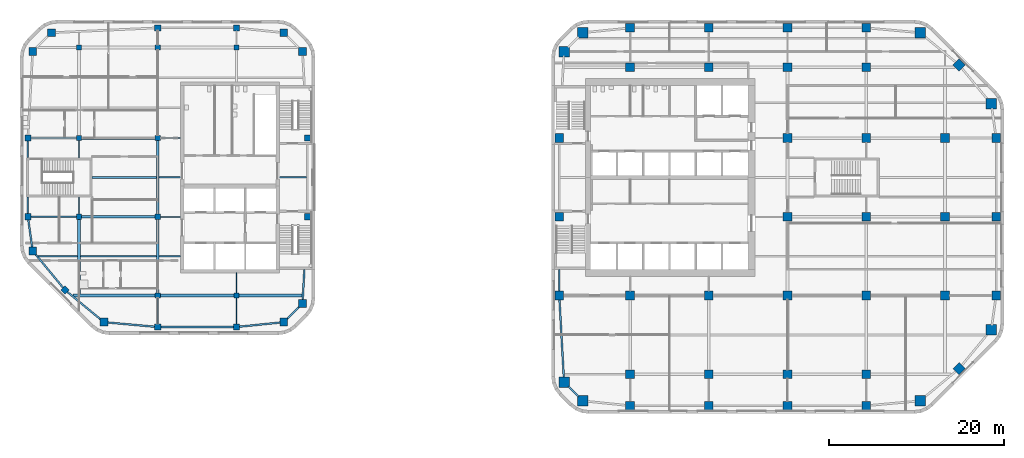
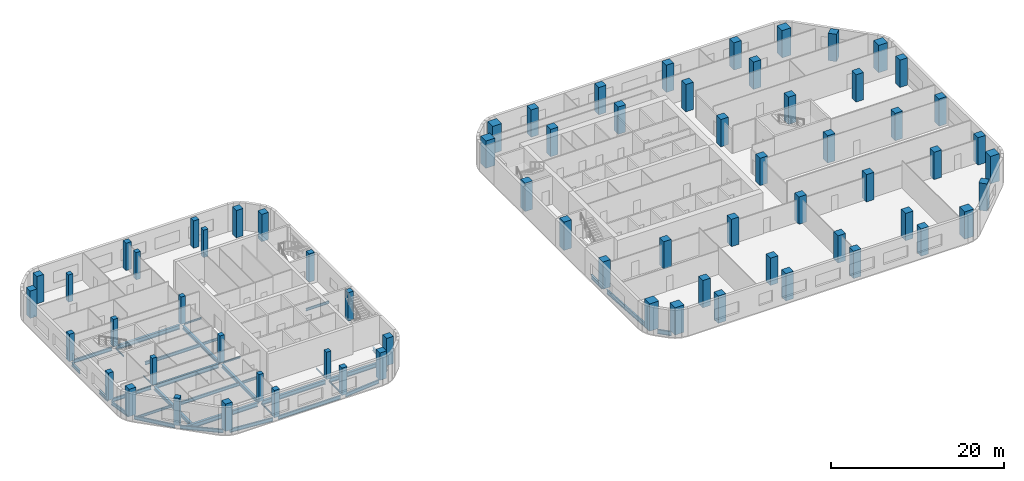
# One storey, part 1 of 14: 69 columns, 36 beams.
"""IFC4 building model written with IfcOpenShell, lengths in metres."""

from ifc_helpers import new_model, si_unit, direction, frame, origin, origin_2d, place, context, subcontext, project, spatial, rectangle, i_section, extrude, material, material_profile, profile_set, type_object, element, save


model = new_model("IFC4")

# Units and contexts
model_context = context("Model", 3, precision=1e-05, world=origin(), true_north=direction((0.0, 1.0)))
body_context = subcontext(model_context, "Body", "Model", "MODEL_VIEW")
ifc_project = project(units=[si_unit("LENGTHUNIT", "METRE"), si_unit("AREAUNIT", "SQUARE_METRE"), si_unit("VOLUMEUNIT", "CUBIC_METRE"), si_unit("PLANEANGLEUNIT", "RADIAN"), si_unit("MASSUNIT", "GRAM", prefix="KILO")], contexts=[model_context])

# Site, building, storey
site_placement = place(None, origin())
site = spatial("IfcSite", under=ifc_project, at=site_placement, CompositionType="ELEMENT")
building_placement = place(site_placement, origin())
building = spatial("IfcBuilding", under=site, at=building_placement, Name="Cinnabar Reach Civic Tower", CompositionType="ELEMENT")
storey_placement = place(building_placement, frame((0.0, 0.0, 112.0)))
storey = spatial("IfcBuildingStorey", under=building, at=storey_placement, Name="L26", CompositionType="ELEMENT", Elevation=112.0)

# Columns
ifc_material_1 = material(Name="Concrete C70", Category="concrete")
ifc_material_profile_1 = material_profile(ifc_material_1, rectangle(XDim=1.0, YDim=1.0, at=origin_2d()), Name="RC1000")
ifc_profile_set_1 = profile_set([ifc_material_profile_1], Name="Concrete C70")
column_type_1 = type_object("IfcColumnType", Name="RC1000 column R 240", PredefinedType="COLUMN", material=ifc_profile_set_1)
for number, where, z_axis, x_axis, name in (
    (1, (9.0, 5.4, 0.0), (0.0, 0.0, 1.0), (1.0, 0.0, 0.0), "Column T1-Z2-F0-1"),
    (2, (18.0, 5.4, 0.0), (0.0, 0.0, 1.0), (1.0, 0.0, 0.0), "Column T1-Z2-F0-2"),
    (3, (27.0, 5.4, 0.0), (0.0, 0.0, 1.0), (1.0, 0.0, 0.0), "Column T1-Z2-F0-3"),
    (4, (36.0, 5.4, 0.0), (0.0, 0.0, 1.0), (1.0, 0.0, 0.0), "Column T1-Z2-F0-4"),
    (5, (46.6136, 9.6364, 0.0), (0.0, 0.0, 1.0), (0.707106781187, 0.707106781187, 0.0), "Column T1-Z2-F1-M"),
    (6, (50.85, 18.0, 0.0), (0.0, 0.0, 1.0), (1.0, 0.0, 0.0), "Column T1-Z2-F2-2"),
    (7, (50.85, 27.0, 0.0), (0.0, 0.0, 1.0), (1.0, 0.0, 0.0), "Column T1-Z2-F2-3"),
    (8, (50.85, 36.0, 0.0), (0.0, 0.0, 1.0), (1.0, 0.0, 0.0), "Column T1-Z2-F2-4"),
    (9, (46.6136, 44.3636, 0.0), (0.0, 0.0, 1.0), (0.707106781187, 0.707106781187, 0.0), "Column T1-Z2-F3-M"),
    (10, (9.0, 48.6, 0.0), (0.0, 0.0, 1.0), (1.0, 0.0, 0.0), "Column T1-Z2-F4-1"),
    (11, (18.0, 48.6, 0.0), (0.0, 0.0, 1.0), (1.0, 0.0, 0.0), "Column T1-Z2-F4-2"),
    (12, (27.0, 48.6, 0.0), (0.0, 0.0, 1.0), (1.0, 0.0, 0.0), "Column T1-Z2-F4-3"),
    (13, (36.0, 48.6, 0.0), (0.0, 0.0, 1.0), (1.0, 0.0, 0.0), "Column T1-Z2-F4-4"),
    (14, (0.9, 18.0, 0.0), (0.0, 0.0, 1.0), (1.0, 0.0, 0.0), "Column T1-Z2-F6-2"),
):
    element("IfcColumn", number, at=place(storey_placement, frame(where, z_axis=z_axis, x_axis=x_axis)), inside=storey, type_object=column_type_1, Name=name, PredefinedType="COLUMN", context=body_context, shape_type="SweptSolid", body=[
        extrude(rectangle(XDim=1.0, YDim=1.0, at=origin_2d()), origin(), (0.0, 0.0, 1.0), 3.85),
    ])
for number, where, z_axis, x_axis, name in (
    (15, (0.9, 27.0, 0.0), (0.0, 0.0, 1.0), (1.0, 0.0, 0.0), "Column T1-Z2-F6-3"),
    (16, (0.9, 36.0, 0.0), (0.0, 0.0, 1.0), (1.0, 0.0, 0.0), "Column T1-Z2-F6-4"),
):
    element("IfcColumn", number, at=place(storey_placement, frame(where, z_axis=z_axis, x_axis=x_axis)), inside=storey, type_object=column_type_1, Name=name, PredefinedType="COLUMN", context=body_context, shape_type="SweptSolid", body=[
        extrude(rectangle(XDim=1.0, YDim=1.0, at=origin_2d()), origin(), (0.0, 0.0, 1.0), 4.0),
    ])
for number, where, z_axis, x_axis, name in (
    (17, (9.0, 9.0, 0.0), (0.0, 0.0, 1.0), (1.0, 0.0, 0.0), "Column T1-Z2-I9_9"),
    (18, (9.0, 18.0, 0.0), (0.0, 0.0, 1.0), (1.0, 0.0, 0.0), "Column T1-Z2-I9_18"),
    (19, (9.0, 44.1, 0.0), (0.0, 0.0, 1.0), (1.0, 0.0, 0.0), "Column T1-Z2-I9_45"),
    (20, (18.0, 9.0, 0.0), (0.0, 0.0, 1.0), (1.0, 0.0, 0.0), "Column T1-Z2-I18_9"),
    (21, (18.0, 18.0, 0.0), (0.0, 0.0, 1.0), (1.0, 0.0, 0.0), "Column T1-Z2-I18_18"),
    (22, (18.0, 44.1, 0.0), (0.0, 0.0, 1.0), (1.0, 0.0, 0.0), "Column T1-Z2-I18_45"),
    (23, (27.0, 9.0, 0.0), (0.0, 0.0, 1.0), (1.0, 0.0, 0.0), "Column T1-Z2-I27_9"),
    (24, (27.0, 18.0, 0.0), (0.0, 0.0, 1.0), (1.0, 0.0, 0.0), "Column T1-Z2-I27_18"),
    (25, (27.0, 27.0, 0.0), (0.0, 0.0, 1.0), (1.0, 0.0, 0.0), "Column T1-Z2-I27_27"),
    (26, (27.0, 36.0, 0.0), (0.0, 0.0, 1.0), (1.0, 0.0, 0.0), "Column T1-Z2-I27_36"),
    (27, (27.0, 44.1, 0.0), (0.0, 0.0, 1.0), (1.0, 0.0, 0.0), "Column T1-Z2-I27_45"),
    (28, (36.0, 9.0, 0.0), (0.0, 0.0, 1.0), (1.0, 0.0, 0.0), "Column T1-Z2-I36_9"),
    (29, (36.0, 18.0, 0.0), (0.0, 0.0, 1.0), (1.0, 0.0, 0.0), "Column T1-Z2-I36_18"),
    (30, (36.0, 27.0, 0.0), (0.0, 0.0, 1.0), (1.0, 0.0, 0.0), "Column T1-Z2-I36_27"),
    (31, (36.0, 36.0, 0.0), (0.0, 0.0, 1.0), (1.0, 0.0, 0.0), "Column T1-Z2-I36_36"),
    (32, (36.0, 44.1, 0.0), (0.0, 0.0, 1.0), (1.0, 0.0, 0.0), "Column T1-Z2-I36_45"),
    (33, (45.0, 18.0, 0.0), (0.0, 0.0, 1.0), (1.0, 0.0, 0.0), "Column T1-Z2-I45_18"),
    (34, (45.0, 27.0, 0.0), (0.0, 0.0, 1.0), (1.0, 0.0, 0.0), "Column T1-Z2-I45_27"),
    (35, (45.0, 36.0, 0.0), (0.0, 0.0, 1.0), (1.0, 0.0, 0.0), "Column T1-Z2-I45_36"),
):
    element("IfcColumn", number, at=place(storey_placement, frame(where, z_axis=z_axis, x_axis=x_axis)), inside=storey, type_object=column_type_1, Name=name, PredefinedType="COLUMN", context=body_context, shape_type="SweptSolid", body=[
        extrude(rectangle(XDim=1.0, YDim=1.0, at=origin_2d()), origin(), (0.0, 0.0, 1.0), 3.85),
    ])
ifc_material_2 = material(Name="Concrete C80", Category="concrete")
ifc_material_profile_2 = material_profile(ifc_material_2, rectangle(XDim=1.2, YDim=1.2, at=origin_2d()), Name="RC1200")
ifc_profile_set_2 = profile_set([ifc_material_profile_2], Name="Concrete C80")
column_type_2 = type_object("IfcColumnType", Name="RC1200 column R 240", PredefinedType="COLUMN", material=ifc_profile_set_2)
for number, where, z_axis, x_axis, name in (
    (36, (3.6019, 5.9531, 0.0), (0.0, 0.0, 1.0), (1.0, 0.0, 0.0), "Column T1-Z2-CC0"),
    (37, (42.1481, 5.9531, 0.0), (0.0, 0.0, 1.0), (1.0, 0.0, 0.0), "Column T1-Z2-CC1"),
    (38, (50.2969, 14.1019, 0.0), (0.0, 0.0, 1.0), (1.0, 0.0, 0.0), "Column T1-Z2-CC2"),
    (39, (50.2969, 39.8981, 0.0), (0.0, 0.0, 1.0), (1.0, 0.0, 0.0), "Column T1-Z2-CC3"),
    (40, (42.1481, 48.0469, 0.0), (0.0, 0.0, 1.0), (1.0, 0.0, 0.0), "Column T1-Z2-CC4"),
    (41, (3.6019, 48.0469, 0.0), (0.0, 0.0, 1.0), (1.0, 0.0, 0.0), "Column T1-Z2-CC5"),
    (42, (1.4531, 45.8981, 0.0), (0.0, 0.0, 1.0), (1.0, 0.0, 0.0), "Column T1-Z2-CC6"),
    (43, (1.4531, 8.1019, 0.0), (0.0, 0.0, 1.0), (1.0, 0.0, 0.0), "Column T1-Z2-CC7"),
):
    element("IfcColumn", number, at=place(storey_placement, frame(where, z_axis=z_axis, x_axis=x_axis)), inside=storey, type_object=column_type_2, Name=name, PredefinedType="COLUMN", context=body_context, shape_type="SweptSolid", body=[
        extrude(rectangle(XDim=1.2, YDim=1.2, at=origin_2d()), origin(), (0.0, 0.0, 1.0), 3.85),
    ])
ifc_material_3 = material(Name="Concrete C60", Category="concrete")
ifc_material_profile_3 = material_profile(ifc_material_3, rectangle(XDim=0.6, YDim=0.6, at=origin_2d()), Name="RC600")
ifc_profile_set_3 = profile_set([ifc_material_profile_3], Name="Concrete C60")
column_type_3 = type_object("IfcColumnType", Name="RC600 column R 180", PredefinedType="COLUMN", material=ifc_profile_set_3)
for number, where, z_axis, x_axis, name in (
    (44, (-54.0, 27.0, 0.0), (0.0, 0.0, 1.0), (1.0, 0.0, 0.0), "Column T2-Z3-I-54_27"),
    (45, (-54.0, 36.0, 0.0), (0.0, 0.0, 1.0), (1.0, 0.0, 0.0), "Column T2-Z3-I-54_36"),
    (46, (-54.0, 46.35, 0.0), (0.0, 0.0, 1.0), (1.0, 0.0, 0.0), "Column T2-Z3-I-54_45"),
    (47, (-45.0, 18.0, 0.0), (0.0, 0.0, 1.0), (1.0, 0.0, 0.0), "Column T2-Z3-I-45_18"),
    (48, (-45.0, 27.0, 0.0), (0.0, 0.0, 1.0), (1.0, 0.0, 0.0), "Column T2-Z3-I-45_27"),
    (49, (-45.0, 36.0, 0.0), (0.0, 0.0, 1.0), (1.0, 0.0, 0.0), "Column T2-Z3-I-45_36"),
    (50, (-45.0, 46.35, 0.0), (0.0, 0.0, 1.0), (1.0, 0.0, 0.0), "Column T2-Z3-I-45_45"),
    (51, (-36.0, 18.0, 0.0), (0.0, 0.0, 1.0), (1.0, 0.0, 0.0), "Column T2-Z3-I-36_18"),
    (52, (-36.0, 46.35, 0.0), (0.0, 0.0, 1.0), (1.0, 0.0, 0.0), "Column T2-Z3-I-36_45"),
):
    element("IfcColumn", number, at=place(storey_placement, frame(where, z_axis=z_axis, x_axis=x_axis)), inside=storey, type_object=column_type_3, Name=name, PredefinedType="COLUMN", context=body_context, shape_type="SweptSolid", body=[
        extrude(rectangle(XDim=0.6, YDim=0.6, at=origin_2d()), origin(), (0.0, 0.0, 1.0), 3.85),
    ])
ifc_material_profile_4 = material_profile(ifc_material_3, rectangle(XDim=0.7, YDim=0.7, at=origin_2d()), Name="RC700")
ifc_profile_set_4 = profile_set([ifc_material_profile_4], Name="Concrete C60")
column_type_4 = type_object("IfcColumnType", Name="RC700 column R 180", PredefinedType="COLUMN", material=ifc_profile_set_4)
for number, where, z_axis, x_axis, name in (
    (53, (-45.0, 14.4, 0.0), (0.0, 0.0, 1.0), (1.0, 0.0, 0.0), "Column T2-Z3-F0--5"),
    (54, (-36.0, 14.4, 0.0), (0.0, 0.0, 1.0), (1.0, 0.0, 0.0), "Column T2-Z3-F0--4"),
):
    element("IfcColumn", number, at=place(storey_placement, frame(where, z_axis=z_axis, x_axis=x_axis)), inside=storey, type_object=column_type_4, Name=name, PredefinedType="COLUMN", context=body_context, shape_type="SweptSolid", body=[
        extrude(rectangle(XDim=0.7, YDim=0.7, at=origin_2d()), origin(), (0.0, 0.0, 1.0), 3.85),
    ])
for number, where, z_axis, x_axis, name in (
    (55, (-27.9, 27.0, 0.0), (0.0, 0.0, 1.0), (1.0, 0.0, 0.0), "Column T2-Z3-F2-3"),
    (56, (-27.9, 36.0, 0.0), (0.0, 0.0, 1.0), (1.0, 0.0, 0.0), "Column T2-Z3-F2-4"),
):
    element("IfcColumn", number, at=place(storey_placement, frame(where, z_axis=z_axis, x_axis=x_axis)), inside=storey, type_object=column_type_4, Name=name, PredefinedType="COLUMN", context=body_context, shape_type="SweptSolid", body=[
        extrude(rectangle(XDim=0.7, YDim=0.7, at=origin_2d()), origin(), (0.0, 0.0, 1.0), 4.0),
    ])
for number, where, z_axis, x_axis, name in (
    (57, (-45.0, 48.6, 0.0), (0.0, 0.0, 1.0), (1.0, 0.0, 0.0), "Column T2-Z3-F4--5"),
    (58, (-36.0, 48.6, 0.0), (0.0, 0.0, 1.0), (1.0, 0.0, 0.0), "Column T2-Z3-F4--4"),
    (59, (-59.85, 27.0, 0.0), (0.0, 0.0, 1.0), (1.0, 0.0, 0.0), "Column T2-Z3-F6-3"),
    (60, (-59.85, 36.0, 0.0), (0.0, 0.0, 1.0), (1.0, 0.0, 0.0), "Column T2-Z3-F6-4"),
    (61, (-55.6136, 18.6364, 0.0), (0.0, 0.0, 1.0), (0.707106781187, 0.707106781187, 0.0), "Column T2-Z3-F7-M"),
):
    element("IfcColumn", number, at=place(storey_placement, frame(where, z_axis=z_axis, x_axis=x_axis)), inside=storey, type_object=column_type_4, Name=name, PredefinedType="COLUMN", context=body_context, shape_type="SweptSolid", body=[
        extrude(rectangle(XDim=0.7, YDim=0.7, at=origin_2d()), origin(), (0.0, 0.0, 1.0), 3.85),
    ])
ifc_material_profile_5 = material_profile(ifc_material_1, rectangle(XDim=0.9, YDim=0.9, at=origin_2d()), Name="RC900")
ifc_profile_set_5 = profile_set([ifc_material_profile_5], Name="Concrete C70")
column_type_5 = type_object("IfcColumnType", Name="RC900 column R 180", PredefinedType="COLUMN", material=ifc_profile_set_5)
for number, where, z_axis, x_axis, name in (
    (62, (-51.1481, 14.9531, 0.0), (0.0, 0.0, 1.0), (1.0, 0.0, 0.0), "Column T2-Z3-CC0"),
    (63, (-30.6019, 14.9531, 0.0), (0.0, 0.0, 1.0), (1.0, 0.0, 0.0), "Column T2-Z3-CC1"),
    (64, (-28.4531, 17.1019, 0.0), (0.0, 0.0, 1.0), (1.0, 0.0, 0.0), "Column T2-Z3-CC2"),
    (65, (-28.4531, 45.8981, 0.0), (0.0, 0.0, 1.0), (1.0, 0.0, 0.0), "Column T2-Z3-CC3"),
    (66, (-30.6019, 48.0469, 0.0), (0.0, 0.0, 1.0), (1.0, 0.0, 0.0), "Column T2-Z3-CC4"),
    (67, (-57.1481, 48.0469, 0.0), (0.0, 0.0, 1.0), (1.0, 0.0, 0.0), "Column T2-Z3-CC5"),
    (68, (-59.2969, 45.8981, 0.0), (0.0, 0.0, 1.0), (1.0, 0.0, 0.0), "Column T2-Z3-CC6"),
    (69, (-59.2969, 23.1019, 0.0), (0.0, 0.0, 1.0), (1.0, 0.0, 0.0), "Column T2-Z3-CC7"),
):
    element("IfcColumn", number, at=place(storey_placement, frame(where, z_axis=z_axis, x_axis=x_axis)), inside=storey, type_object=column_type_5, Name=name, PredefinedType="COLUMN", context=body_context, shape_type="SweptSolid", body=[
        extrude(rectangle(XDim=0.9, YDim=0.9, at=origin_2d()), origin(), (0.0, 0.0, 1.0), 3.85),
    ])

# Beams
ifc_material_4 = material(Name="Steel Q355B", Category="steel")
ifc_material_profile_6 = material_profile(ifc_material_4, i_section(OverallWidth=0.3, OverallDepth=0.488, WebThickness=0.011, FlangeThickness=0.018, FilletRadius=0.016, at=origin_2d()), Name="HM488x300x11x18")
ifc_profile_set_6 = profile_set([ifc_material_profile_6], Name="Steel Q355B")
beam_type_1 = type_object("IfcBeamType", Name="HM488x300x11x18 beam R 120", PredefinedType="BEAM", material=ifc_profile_set_6)
beam_1_placement = place(storey_placement, frame((-54.0, 18.152, -0.394), z_axis=(0.0, 1.0, 0.0), x_axis=(-1.0, 0.0, 0.0)))
element("IfcBeam", 70, at=beam_1_placement, inside=storey, type_object=beam_type_1, Name="Girder T2 L26 1", PredefinedType="BEAM", context=body_context, shape_type="SweptSolid", body=[
    extrude(i_section(OverallWidth=0.3, OverallDepth=0.488, WebThickness=0.011, FlangeThickness=0.018, FilletRadius=0.016, at=origin_2d()), origin(), (0.0, 0.0, 1.0), 8.546),
])
for number, where, z_axis, x_axis, name in (
    (71, (-45.0, 18.302, -0.394), (0.0, 1.0, 0.0), (-1.0, 0.0, 0.0), "Girder T2 L26 7"),
    (72, (-45.0, 27.302, -0.394), (0.0, 1.0, 0.0), (-1.0, 0.0, 0.0), "Girder T2 L26 8"),
):
    element("IfcBeam", number, at=place(storey_placement, frame(where, z_axis=z_axis, x_axis=x_axis)), inside=storey, type_object=beam_type_1, Name=name, PredefinedType="BEAM", context=body_context, shape_type="SweptSolid", body=[
        extrude(i_section(OverallWidth=0.3, OverallDepth=0.488, WebThickness=0.011, FlangeThickness=0.018, FilletRadius=0.016, at=origin_2d()), origin(), (0.0, 0.0, 1.0), 8.396),
    ])
ifc_material_profile_7 = material_profile(ifc_material_4, i_section(OverallWidth=0.3, OverallDepth=0.588, WebThickness=0.012, FlangeThickness=0.02, FilletRadius=0.016, at=origin_2d()), Name="HM588x300x12x20")
ifc_profile_set_7 = profile_set([ifc_material_profile_7], Name="Steel Q355B")
beam_type_2 = type_object("IfcBeamType", Name="HM588x300x12x20 beam R 120", PredefinedType="BEAM", material=ifc_profile_set_7)
beam_2_placement = place(storey_placement, frame((-54.6818, 18.0, -0.444), z_axis=(1.0, 0.0, 0.0), x_axis=(0.0, 1.0, 0.0)))
element("IfcBeam", 73, at=beam_2_placement, inside=storey, type_object=beam_type_2, Name="Girder T2 L26 1", PredefinedType="BEAM", context=body_context, shape_type="SweptSolid", body=[
    extrude(i_section(OverallWidth=0.3, OverallDepth=0.588, WebThickness=0.012, FlangeThickness=0.02, FilletRadius=0.016, at=origin_2d()), origin(), (0.0, 0.0, 1.0), 9.3798),
])
beam_3_placement = place(storey_placement, frame((-44.698, 18.0, -0.444), z_axis=(1.0, 0.0, 0.0), x_axis=(0.0, 1.0, 0.0)))
element("IfcBeam", 74, at=beam_3_placement, inside=storey, type_object=beam_type_2, Name="Girder T2 L26 2", PredefinedType="BEAM", context=body_context, shape_type="SweptSolid", body=[
    extrude(i_section(OverallWidth=0.3, OverallDepth=0.588, WebThickness=0.012, FlangeThickness=0.02, FilletRadius=0.016, at=origin_2d()), origin(), (0.0, 0.0, 1.0), 8.396),
])
beam_4_placement = place(storey_placement, frame((-35.698, 18.0, -0.444), z_axis=(1.0, 0.0, 0.0), x_axis=(0.0, 1.0, 0.0)))
element("IfcBeam", 75, at=beam_4_placement, inside=storey, type_object=beam_type_2, Name="Girder T2 L26 3", PredefinedType="BEAM", context=body_context, shape_type="SweptSolid", body=[
    extrude(i_section(OverallWidth=0.3, OverallDepth=0.588, WebThickness=0.012, FlangeThickness=0.02, FilletRadius=0.016, at=origin_2d()), origin(), (0.0, 0.0, 1.0), 7.1929),
])
for number, where, z_axis, x_axis, name in (
    (76, (-53.698, 27.0, -0.444), (1.0, 0.0, 0.0), (0.0, 1.0, 0.0), "Girder T2 L26 5"),
    (77, (-53.698, 36.0, -0.444), (1.0, 0.0, 0.0), (0.0, 1.0, 0.0), "Girder T2 L26 8"),
):
    element("IfcBeam", number, at=place(storey_placement, frame(where, z_axis=z_axis, x_axis=x_axis)), inside=storey, type_object=beam_type_2, Name=name, PredefinedType="BEAM", context=body_context, shape_type="SweptSolid", body=[
        extrude(i_section(OverallWidth=0.3, OverallDepth=0.588, WebThickness=0.012, FlangeThickness=0.02, FilletRadius=0.016, at=origin_2d()), origin(), (0.0, 0.0, 1.0), 8.396),
    ])
ifc_material_profile_8 = material_profile(ifc_material_4, i_section(OverallWidth=0.099, OverallDepth=0.198, WebThickness=0.0045, FlangeThickness=0.007, FilletRadius=0.013, at=origin_2d()), Name="HN200x100x5.5x8")
ifc_profile_set_8 = profile_set([ifc_material_profile_8], Name="Steel Q355B")
beam_type_3 = type_object("IfcBeamType", Name="HN200x100x5.5x8 beam R 120", PredefinedType="BEAM", material=ifc_profile_set_8)
for number, where, z_axis, x_axis, name in (
    (78, (-54.0, 27.302, -0.249), (0.0, 1.0, 0.0), (-1.0, 0.0, 0.0), "Girder T2 L26 2"),
    (79, (-54.0, 33.752, -0.249), (0.0, 1.0, 0.0), (-1.0, 0.0, 0.0), "Girder T2 L26 3"),
):
    element("IfcBeam", number, at=place(storey_placement, frame(where, z_axis=z_axis, x_axis=x_axis)), inside=storey, type_object=beam_type_3, Name=name, PredefinedType="BEAM", context=body_context, shape_type="SweptSolid", body=[
        extrude(i_section(OverallWidth=0.099, OverallDepth=0.198, WebThickness=0.0045, FlangeThickness=0.007, FilletRadius=0.013, at=origin_2d()), origin(), (0.0, 0.0, 1.0), 1.946),
    ])
for number, where, z_axis, x_axis, name in (
    (80, (-45.0, 14.752, -0.249), (0.0, 1.0, 0.0), (-1.0, 0.0, 0.0), "Girder T2 L26 6"),
    (81, (-36.0, 14.752, -0.249), (0.0, 1.0, 0.0), (-1.0, 0.0, 0.0), "Girder T2 L26 11"),
):
    element("IfcBeam", number, at=place(storey_placement, frame(where, z_axis=z_axis, x_axis=x_axis)), inside=storey, type_object=beam_type_3, Name=name, PredefinedType="BEAM", context=body_context, shape_type="SweptSolid", body=[
        extrude(i_section(OverallWidth=0.099, OverallDepth=0.198, WebThickness=0.0045, FlangeThickness=0.007, FilletRadius=0.013, at=origin_2d()), origin(), (0.0, 0.0, 1.0), 2.946),
    ])
beam_5_placement = place(storey_placement, frame((-36.0, 18.302, -0.249), z_axis=(0.0, 1.0, 0.0), x_axis=(-1.0, 0.0, 0.0)))
element("IfcBeam", 82, at=beam_5_placement, inside=storey, type_object=beam_type_3, Name="Girder T2 L26 12", PredefinedType="BEAM", context=body_context, shape_type="SweptSolid", body=[
    extrude(i_section(OverallWidth=0.099, OverallDepth=0.198, WebThickness=0.0045, FlangeThickness=0.007, FilletRadius=0.013, at=origin_2d()), origin(), (0.0, 0.0, 1.0), 2.296),
])
ifc_material_profile_9 = material_profile(ifc_material_4, i_section(OverallWidth=0.124, OverallDepth=0.248, WebThickness=0.005, FlangeThickness=0.008, FilletRadius=0.013, at=origin_2d()), Name="HN250x125x6x9")
ifc_profile_set_9 = profile_set([ifc_material_profile_9], Name="Steel Q355B")
beam_type_4 = type_object("IfcBeamType", Name="HN250x125x6x9 beam R 120", PredefinedType="BEAM", material=ifc_profile_set_9)
for number, where, z_axis, x_axis, name in (
    (83, (-44.698, 27.0, -0.274), (1.0, 0.0, 0.0), (0.0, 1.0, 0.0), "Girder T2 L26 6"),
    (84, (-44.698, 36.0, -0.274), (1.0, 0.0, 0.0), (0.0, 1.0, 0.0), "Girder T2 L26 9"),
):
    element("IfcBeam", number, at=place(storey_placement, frame(where, z_axis=z_axis, x_axis=x_axis)), inside=storey, type_object=beam_type_4, Name=name, PredefinedType="BEAM", context=body_context, shape_type="SweptSolid", body=[
        extrude(i_section(OverallWidth=0.124, OverallDepth=0.248, WebThickness=0.005, FlangeThickness=0.008, FilletRadius=0.013, at=origin_2d()), origin(), (0.0, 0.0, 1.0), 2.296),
    ])
ifc_material_profile_10 = material_profile(ifc_material_4, i_section(OverallWidth=0.175, OverallDepth=0.35, WebThickness=0.007, FlangeThickness=0.011, FilletRadius=0.013, at=origin_2d()), Name="HN350x175x7x11")
ifc_profile_set_10 = profile_set([ifc_material_profile_10], Name="Steel Q355B")
beam_type_5 = type_object("IfcBeamType", Name="HN350x175x7x11 beam R 120", PredefinedType="BEAM", material=ifc_profile_set_10)
beam_6_placement = place(storey_placement, frame((-58.6682, 22.5, -0.325), z_axis=(1.0, 0.0, 0.0), x_axis=(0.0, 1.0, 0.0)))
element("IfcBeam", 85, at=beam_6_placement, inside=storey, type_object=beam_type_5, Name="Secondary beam T2 L26 1", PredefinedType="BEAM", context=body_context, shape_type="SweptSolid", body=[
    extrude(i_section(OverallWidth=0.175, OverallDepth=0.35, WebThickness=0.007, FlangeThickness=0.011, FilletRadius=0.013, at=origin_2d()), origin(), (0.0, 0.0, 1.0), 4.5162),
])
for number, where, z_axis, x_axis, name in (
    (86, (-44.848, 22.5, -0.325), (1.0, 0.0, 0.0), (0.0, 1.0, 0.0), "Secondary beam T2 L26 3"),
    (87, (-44.848, 31.5, -0.325), (1.0, 0.0, 0.0), (0.0, 1.0, 0.0), "Secondary beam T2 L26 5"),
):
    element("IfcBeam", number, at=place(storey_placement, frame(where, z_axis=z_axis, x_axis=x_axis)), inside=storey, type_object=beam_type_5, Name=name, PredefinedType="BEAM", context=body_context, shape_type="SweptSolid", body=[
        extrude(i_section(OverallWidth=0.175, OverallDepth=0.35, WebThickness=0.007, FlangeThickness=0.011, FilletRadius=0.013, at=origin_2d()), origin(), (0.0, 0.0, 1.0), 2.446),
    ])
beam_7_placement = place(storey_placement, frame((-31.098, 31.5, -0.325), z_axis=(1.0, 0.0, 0.0), x_axis=(0.0, 1.0, 0.0)))
element("IfcBeam", 88, at=beam_7_placement, inside=storey, type_object=beam_type_5, Name="Secondary beam T2 L26 6", PredefinedType="BEAM", context=body_context, shape_type="SweptSolid", body=[
    extrude(i_section(OverallWidth=0.175, OverallDepth=0.35, WebThickness=0.007, FlangeThickness=0.011, FilletRadius=0.013, at=origin_2d()), origin(), (0.0, 0.0, 1.0), 3.096),
])
ifc_material_profile_11 = material_profile(ifc_material_4, i_section(OverallWidth=0.2, OverallDepth=0.45, WebThickness=0.009, FlangeThickness=0.014, FilletRadius=0.016, at=origin_2d()), Name="HN450x200x9x14")
ifc_profile_set_11 = profile_set([ifc_material_profile_11], Name="Steel Q355B")
beam_type_6 = type_object("IfcBeamType", Name="HN450x200x9x14 beam R 120", PredefinedType="BEAM", material=ifc_profile_set_11)
beam_8_placement = place(storey_placement, frame((-53.848, 22.5, -0.375), z_axis=(1.0, 0.0, 0.0), x_axis=(0.0, 1.0, 0.0)))
element("IfcBeam", 89, at=beam_8_placement, inside=storey, type_object=beam_type_6, Name="Secondary beam T2 L26 2", PredefinedType="BEAM", context=body_context, shape_type="SweptSolid", body=[
    extrude(i_section(OverallWidth=0.2, OverallDepth=0.45, WebThickness=0.009, FlangeThickness=0.014, FilletRadius=0.016, at=origin_2d()), origin(), (0.0, 0.0, 1.0), 8.696),
])
beam_9_placement = place(storey_placement, frame((-52.498, 31.5, -0.375), z_axis=(1.0, 0.0, 0.0), x_axis=(0.0, 1.0, 0.0)))
element("IfcBeam", 90, at=beam_9_placement, inside=storey, type_object=beam_type_6, Name="Secondary beam T2 L26 4", PredefinedType="BEAM", context=body_context, shape_type="SweptSolid", body=[
    extrude(i_section(OverallWidth=0.2, OverallDepth=0.45, WebThickness=0.009, FlangeThickness=0.014, FilletRadius=0.016, at=origin_2d()), origin(), (0.0, 0.0, 1.0), 7.346),
])
ifc_material_profile_12 = material_profile(ifc_material_4, i_section(OverallWidth=0.2, OverallDepth=0.5, WebThickness=0.01, FlangeThickness=0.016, FilletRadius=0.016, at=origin_2d()), Name="HN500x200x10x16")
ifc_profile_set_12 = profile_set([ifc_material_profile_12], Name="Steel Q355B")
beam_type_7 = type_object("IfcBeamType", Name="HN500x200x10x16 beam R 120", PredefinedType="BEAM", material=ifc_profile_set_12)
beam_10_placement = place(storey_placement, frame((-50.8161, 14.9232, -0.4), z_axis=(0.99597881512, -0.089589060894, 0.0), x_axis=(0.089589060894, 0.99597881512, 0.0)))
element("IfcBeam", 91, at=beam_10_placement, inside=storey, type_object=beam_type_7, Name="Edge beam T2 L26 1", PredefinedType="BEAM", context=body_context, shape_type="SweptSolid", body=[
    extrude(i_section(OverallWidth=0.2, OverallDepth=0.5, WebThickness=0.01, FlangeThickness=0.016, FilletRadius=0.016, at=origin_2d()), origin(), (0.0, 0.0, 1.0), 5.4862),
])
beam_11_placement = place(storey_placement, frame((-44.648, 14.4, -0.4), z_axis=(1.0, 0.0, 0.0), x_axis=(0.0, 1.0, 0.0)))
element("IfcBeam", 92, at=beam_11_placement, inside=storey, type_object=beam_type_7, Name="Edge beam T2 L26 2", PredefinedType="BEAM", context=body_context, shape_type="SweptSolid", body=[
    extrude(i_section(OverallWidth=0.2, OverallDepth=0.5, WebThickness=0.01, FlangeThickness=0.016, FilletRadius=0.016, at=origin_2d()), origin(), (0.0, 0.0, 1.0), 8.296),
])
beam_12_placement = place(storey_placement, frame((-35.648, 14.4361, -0.4), z_axis=(0.994792087401, 0.101924986363, 0.0), x_axis=(-0.101924986363, 0.994792087401, 0.0)))
element("IfcBeam", 93, at=beam_12_placement, inside=storey, type_object=beam_type_7, Name="Edge beam T2 L26 3", PredefinedType="BEAM", context=body_context, shape_type="SweptSolid", body=[
    extrude(i_section(OverallWidth=0.2, OverallDepth=0.5, WebThickness=0.01, FlangeThickness=0.016, FilletRadius=0.016, at=origin_2d()), origin(), (0.0, 0.0, 1.0), 4.7388),
])
beam_13_placement = place(storey_placement, frame((-30.2699, 15.2851, -0.4), z_axis=(0.707106781187, 0.707106781187, 0.0), x_axis=(-0.707106781187, 0.707106781187, 0.0)))
element("IfcBeam", 94, at=beam_13_placement, inside=storey, type_object=beam_type_7, Name="Edge beam T2 L26 4", PredefinedType="BEAM", context=body_context, shape_type="SweptSolid", body=[
    extrude(i_section(OverallWidth=0.2, OverallDepth=0.5, WebThickness=0.01, FlangeThickness=0.016, FilletRadius=0.016, at=origin_2d()), origin(), (0.0, 0.0, 1.0), 2.0998),
])
beam_14_placement = place(storey_placement, frame((-28.4345, 17.4339, -0.4), z_axis=(0.055775670196, 0.99844332569, 0.0), x_axis=(-0.99844332569, 0.055775670196, 0.0)))
element("IfcBeam", 95, at=beam_14_placement, inside=storey, type_object=beam_type_7, Name="Edge beam T2 L26 5", PredefinedType="BEAM", context=body_context, shape_type="SweptSolid", body=[
    extrude(i_section(OverallWidth=0.2, OverallDepth=0.5, WebThickness=0.01, FlangeThickness=0.016, FilletRadius=0.016, at=origin_2d()), origin(), (0.0, 0.0, 1.0), 3.5697),
])
for number, where, z_axis, x_axis, name in (
    (96, (-59.85, 35.648, -0.4), (0.0, -1.0, 0.0), (1.0, 0.0, 0.0), "Edge beam T2 L26 14"),
    (97, (-59.85, 29.248, -0.4), (0.0, -1.0, 0.0), (1.0, 0.0, 0.0), "Edge beam T2 L26 15"),
):
    element("IfcBeam", number, at=place(storey_placement, frame(where, z_axis=z_axis, x_axis=x_axis)), inside=storey, type_object=beam_type_7, Name=name, PredefinedType="BEAM", context=body_context, shape_type="SweptSolid", body=[
        extrude(i_section(OverallWidth=0.2, OverallDepth=0.5, WebThickness=0.01, FlangeThickness=0.016, FilletRadius=0.016, at=origin_2d()), origin(), (0.0, 0.0, 1.0), 1.896),
    ])
beam_15_placement = place(storey_placement, frame((-59.8001, 26.648, -0.4), z_axis=(0.140498398047, -0.990080905859, 0.0), x_axis=(0.990080905859, 0.140498398047, 0.0)))
element("IfcBeam", 98, at=beam_15_placement, inside=storey, type_object=beam_type_7, Name="Edge beam T2 L26 16", PredefinedType="BEAM", context=body_context, shape_type="SweptSolid", body=[
    extrude(i_section(OverallWidth=0.2, OverallDepth=0.5, WebThickness=0.01, FlangeThickness=0.016, FilletRadius=0.016, at=origin_2d()), origin(), (0.0, 0.0, 1.0), 3.2463),
])
for number, where, z_axis, x_axis, name in (
    (99, (-59.0231, 22.7699, -0.4), (0.636307764727, -0.771435304189, 0.0), (0.771435304189, 0.636307764727, 0.0), "Edge beam T2 L26 17"),
    (100, (-55.3873, 18.4497, -0.4), (0.771435304189, -0.636307764727, 0.0), (0.636307764727, 0.771435304189, 0.0), "Edge beam T2 L26 18"),
):
    element("IfcBeam", number, at=place(storey_placement, frame(where, z_axis=z_axis, x_axis=x_axis)), inside=storey, type_object=beam_type_7, Name=name, PredefinedType="BEAM", context=body_context, shape_type="SweptSolid", body=[
        extrude(i_section(OverallWidth=0.2, OverallDepth=0.5, WebThickness=0.01, FlangeThickness=0.016, FilletRadius=0.016, at=origin_2d()), origin(), (0.0, 0.0, 1.0), 5.0648),
    ])
for number, where, z_axis, x_axis, name in (
    (101, (-59.498, 27.0, -0.4), (1.0, 0.0, 0.0), (0.0, 1.0, 0.0), "Girder T2 L26 4"),
    (102, (-59.498, 36.0, -0.4), (1.0, 0.0, 0.0), (0.0, 1.0, 0.0), "Girder T2 L26 7"),
):
    element("IfcBeam", number, at=place(storey_placement, frame(where, z_axis=z_axis, x_axis=x_axis)), inside=storey, type_object=beam_type_7, Name=name, PredefinedType="BEAM", context=body_context, shape_type="SweptSolid", body=[
        extrude(i_section(OverallWidth=0.2, OverallDepth=0.5, WebThickness=0.01, FlangeThickness=0.016, FilletRadius=0.016, at=origin_2d()), origin(), (0.0, 0.0, 1.0), 5.196),
    ])
ifc_material_profile_13 = material_profile(ifc_material_4, i_section(OverallWidth=0.2, OverallDepth=0.6, WebThickness=0.011, FlangeThickness=0.017, FilletRadius=0.016, at=origin_2d()), Name="HN600x200x11x17")
ifc_profile_set_13 = profile_set([ifc_material_profile_13], Name="Steel Q355B")
beam_type_8 = type_object("IfcBeamType", Name="HN600x200x11x17 beam R 180", PredefinedType="BEAM", material=ifc_profile_set_13)
beam_16_placement = place(storey_placement, frame((0.9, 20.998, -0.45), z_axis=(0.0, -1.0, 0.0), x_axis=(1.0, 0.0, 0.0)))
element("IfcBeam", 103, at=beam_16_placement, inside=storey, type_object=beam_type_8, Name="Edge beam T1 L26 22", PredefinedType="BEAM", context=body_context, shape_type="SweptSolid", body=[
    extrude(i_section(OverallWidth=0.2, OverallDepth=0.6, WebThickness=0.011, FlangeThickness=0.017, FilletRadius=0.016, at=origin_2d()), origin(), (0.0, 0.0, 1.0), 2.496),
])
beam_17_placement = place(storey_placement, frame((0.9281, 17.498, -0.45), z_axis=(0.055790736166, -0.998442483951, 0.0), x_axis=(0.998442483951, 0.055790736166, 0.0)))
element("IfcBeam", 104, at=beam_17_placement, inside=storey, type_object=beam_type_8, Name="Edge beam T1 L26 23", PredefinedType="BEAM", context=body_context, shape_type="SweptSolid", body=[
    extrude(i_section(OverallWidth=0.2, OverallDepth=0.6, WebThickness=0.011, FlangeThickness=0.017, FilletRadius=0.016, at=origin_2d()), origin(), (0.0, 0.0, 1.0), 8.928),
])
beam_18_placement = place(storey_placement, frame((1.9351, 7.6199, -0.45), z_axis=(0.707106781187, -0.707106781187, 0.0), x_axis=(0.707106781187, 0.707106781187, 0.0)))
element("IfcBeam", 105, at=beam_18_placement, inside=storey, type_object=beam_type_8, Name="Edge beam T1 L26 24", PredefinedType="BEAM", context=body_context, shape_type="SweptSolid", body=[
    extrude(i_section(OverallWidth=0.2, OverallDepth=0.6, WebThickness=0.011, FlangeThickness=0.017, FilletRadius=0.016, at=origin_2d()), origin(), (0.0, 0.0, 1.0), 1.6756),
])

save(model, "model.ifc")
